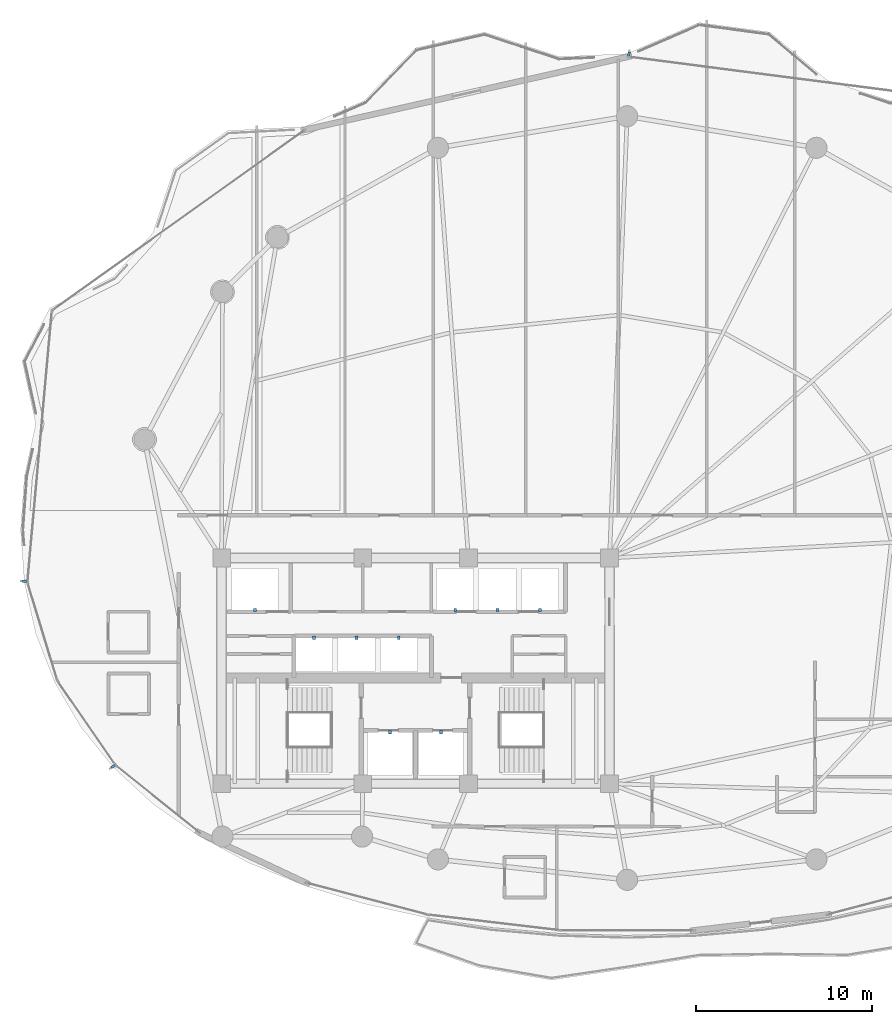
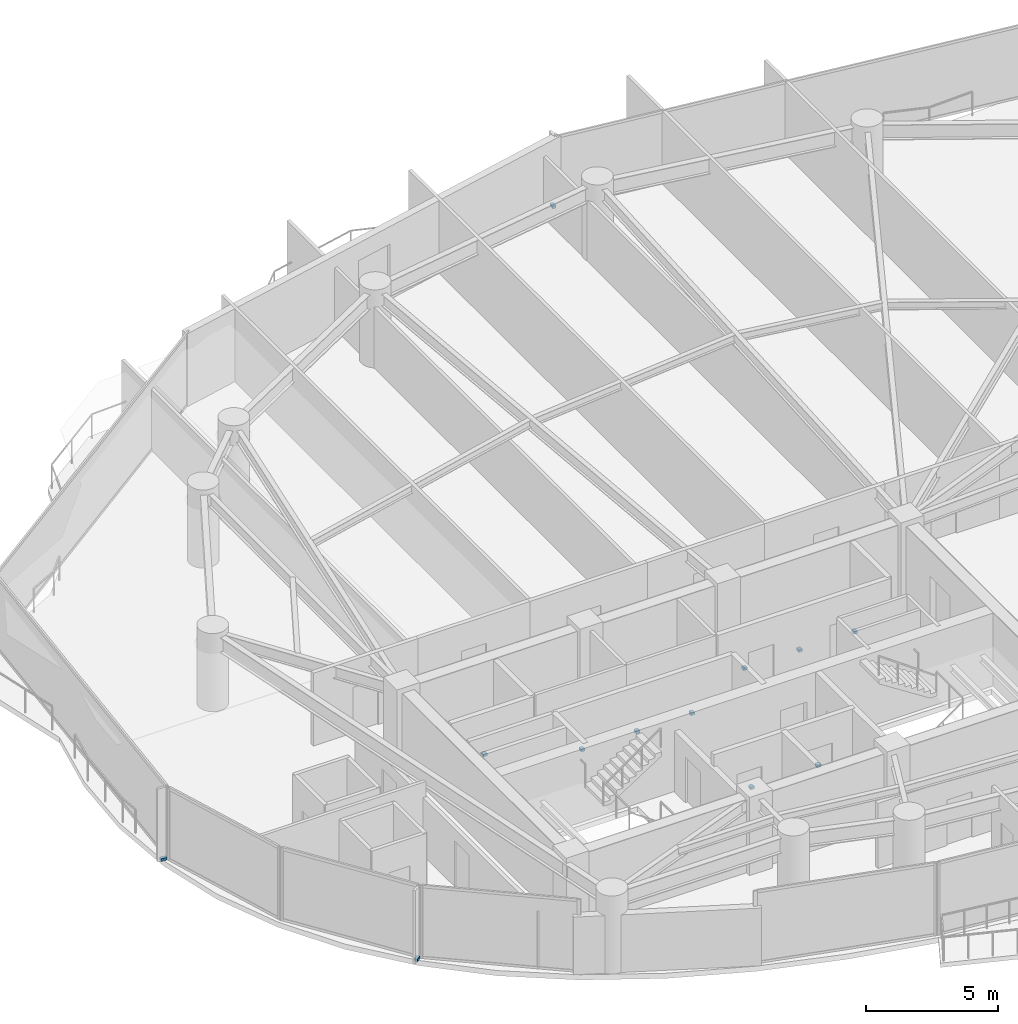
# One storey, part 29 of 33: 12 discrete accessories.
"""IFC4 building model written with IfcOpenShell, lengths in metres."""

from ifc_helpers import new_model, si_unit, direction, frame, origin, origin_2d, place, context, subcontext, project, spatial, rectangle, extrude, material, type_object, element, save


model = new_model("IFC4")

# Units and contexts
model_context = context("Model", 3, precision=1e-05, world=origin(), true_north=direction((0.0, 1.0)))
body_context = subcontext(model_context, "Body", "Model", "MODEL_VIEW")
ifc_project = project(units=[si_unit("LENGTHUNIT", "METRE"), si_unit("AREAUNIT", "SQUARE_METRE"), si_unit("VOLUMEUNIT", "CUBIC_METRE"), si_unit("PLANEANGLEUNIT", "RADIAN"), si_unit("MASSUNIT", "GRAM", prefix="KILO")], contexts=[model_context])

# Site, building, storey
site_placement = place(None, origin())
site = spatial("IfcSite", under=ifc_project, at=site_placement, CompositionType="ELEMENT")
building_placement = place(site_placement, origin())
building = spatial("IfcBuilding", under=site, at=building_placement, Name="Kazevale Care Tower and Concert Hall", CompositionType="ELEMENT")
storey_placement = place(building_placement, frame((0.0, 0.0, 153.0)))
storey = spatial("IfcBuildingStorey", under=building, at=storey_placement, Name="L40", CompositionType="ELEMENT", Elevation=153.0)

# Discrete accessories
ifc_material = material(Name="Stainless Steel 316", Category="steel")
discrete_accessory_type_1 = type_object("IfcDiscreteAccessoryType", Name="Facade Fin Stainless Anchor Bracket BRK-1", PredefinedType="BRACKET", material=ifc_material)
for number, where, z_axis, x_axis, name in (
    (1, (15.84130859375, 24.574462890625, 0.0), (0.0, 0.0, 1.0), (-0.823334533242, -0.567556381667, 0.0), "cw:L40:f11:brk"),
    (2, (10.829345703125, 35.0791015625, 0.0), (0.0, 0.0, 1.0), (-0.995963111248, 0.089763472712, 0.0), "cw:L40:f13:brk"),
    (3, (45.09814453125, 64.970947265625, 0.0), (0.0, 0.0, 1.0), (0.12827634114, 0.991738463661, 0.0), "cw:L40:f16:brk"),
):
    element("IfcDiscreteAccessory", number, at=place(storey_placement, frame(where, z_axis=z_axis, x_axis=x_axis)), inside=storey, type_object=discrete_accessory_type_1, Name=name, PredefinedType="BRACKET", context=body_context, shape_type="SweptSolid", body=[
        extrude(rectangle(XDim=0.239990234375, YDim=0.139892578125, at=origin_2d()), origin(), (0.0, 0.0, 1.0), 0.1201171875),
    ])
discrete_accessory_type_2 = type_object("IfcDiscreteAccessoryType", Name="Hoistway Guide-Rail Wall Bracket HBRK-1", PredefinedType="BRACKET", material=ifc_material)
for number, where, z_axis, x_axis, name in (
    (4, (31.550048828125, 26.52001953125, 1.239990234375), (0.0, 0.0, 1.0), (1.0, 0.0, 0.0), "hbrk:FFL-1:L40"),
    (5, (34.449951171875, 26.52001953125, 1.239990234375), (0.0, 0.0, 1.0), (1.0, 0.0, 0.0), "hbrk:FFL-2:L40"),
    (6, (23.89990234375, 33.449951171875, 1.239990234375), (0.0, 0.0, 1.0), (1.0, 0.0, 0.0), "hbrk:SVL-1:L40"),
    (7, (35.25, 33.449951171875, 1.239990234375), (0.0, 0.0, 1.0), (1.0, 0.0, 0.0), "hbrk:PM-1:L40"),
    (8, (37.64990234375, 33.449951171875, 1.239990234375), (0.0, 0.0, 1.0), (1.0, 0.0, 0.0), "hbrk:PM-2:L40"),
    (9, (40.050048828125, 33.449951171875, 1.239990234375), (0.0, 0.0, 1.0), (1.0, 0.0, 0.0), "hbrk:PM-3:L40"),
    (10, (27.25, 31.8798828125, 1.239990234375), (0.0, 0.0, 1.0), (1.0, 0.0, 0.0), "hbrk:PH-1:L40"),
    (11, (29.64990234375, 31.8798828125, 1.239990234375), (0.0, 0.0, 1.0), (1.0, 0.0, 0.0), "hbrk:PH-2:L40"),
    (12, (32.050048828125, 31.8798828125, 1.239990234375), (0.0, 0.0, 1.0), (1.0, 0.0, 0.0), "hbrk:PH-3:L40"),
):
    element("IfcDiscreteAccessory", number, at=place(storey_placement, frame(where, z_axis=z_axis, x_axis=x_axis)), inside=storey, type_object=discrete_accessory_type_2, Name=name, PredefinedType="BRACKET", context=body_context, shape_type="SweptSolid", body=[
        extrude(rectangle(XDim=0.159912109375, YDim=0.179931640625, at=origin_2d()), origin(), (0.0, 0.0, 1.0), 0.1201171875),
    ])

save(model, "model.ifc")
